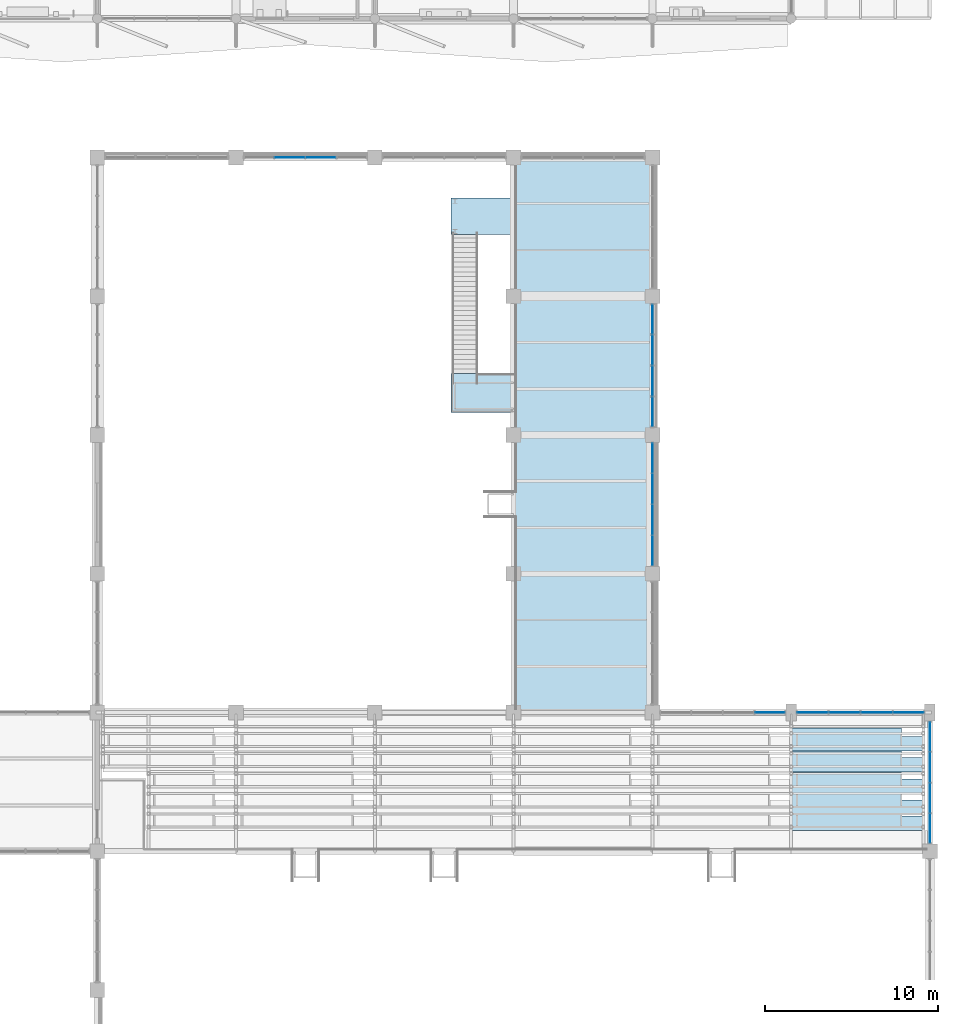
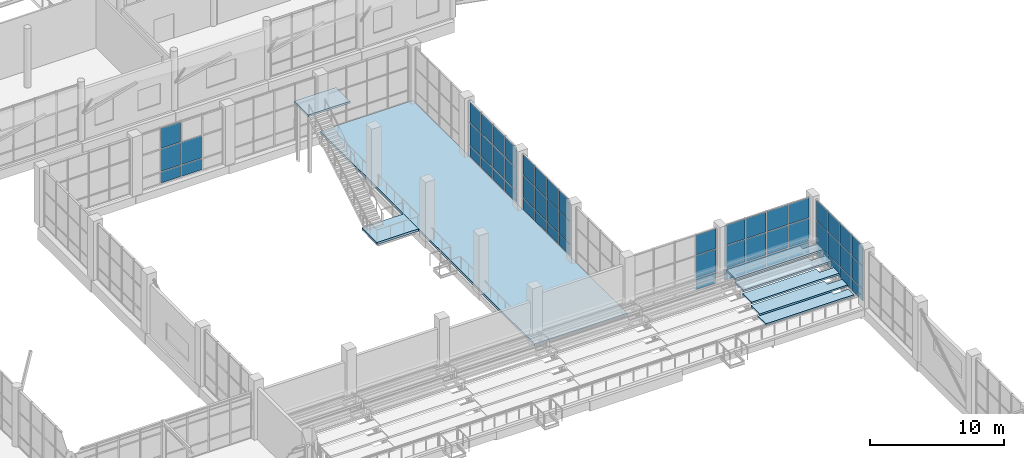
# One storey, part 94 of 122: 56 plates, 8 slabs, 7 elements without a shape of their own.
"""IFC4 building model written with IfcOpenShell, lengths in metres."""

from ifc_helpers import new_model, si_unit, direction, frame, origin, origin_2d, place, context, subcontext, project, spatial, polyline, rectangle, outline, extrude, material, layer, layer_set, type_object, element, aggregate, save


model = new_model("IFC4")

# Units and contexts
model_context = context("Model", 3, precision=1e-05, world=origin(), true_north=direction((0.0, 1.0)))
body_context = subcontext(model_context, "Body", "Model", "MODEL_VIEW")
ifc_project = project(units=[si_unit("LENGTHUNIT", "METRE"), si_unit("AREAUNIT", "SQUARE_METRE"), si_unit("VOLUMEUNIT", "CUBIC_METRE"), si_unit("PLANEANGLEUNIT", "RADIAN"), si_unit("MASSUNIT", "GRAM", prefix="KILO")], contexts=[model_context])

# Site, building, storey
site_placement = place(None, origin())
site = spatial("IfcSite", under=ifc_project, at=site_placement, CompositionType="ELEMENT")
building_placement = place(site_placement, origin())
building = spatial("IfcBuilding", under=site, at=building_placement, Name="Tenunan Teduh Sports Hall", CompositionType="ELEMENT")
storey_placement = place(building_placement, frame((0.0, 0.0, 5.39990234375)))
storey = spatial("IfcBuildingStorey", under=building, at=storey_placement, Name="L01", CompositionType="ELEMENT", Elevation=5.39990234375)

# Curtain wall, plates
ifc_material_1 = material(Name="Anodised aluminium", Category="aluminium")
curtain_wall_type = type_object("IfcCurtainWallType", Name="CW-UNIT-1", PredefinedType="NOTDEFINED", material=ifc_material_1)
curtain_wall_1_placement = place(storey_placement, origin())
curtain_wall_1 = element("IfcCurtainWall", 1, at=curtain_wall_1_placement, inside=storey, type_object=curtain_wall_type, Name="CW-CWM-200-L01-012", PredefinedType="NOTDEFINED")
ifc_material_2 = material(Name="Low-E laminated double glazing", Category="glass")
ifc_layer_1 = layer(ifc_material_2, 0.028076171875)
ifc_layer_set_1 = layer_set([ifc_layer_1], Name="Low-E laminated double glazing")
plate_type_1 = type_object("IfcPlateType", Name="CWP-GLZ-28", PredefinedType="CURTAIN_PANEL", material=ifc_layer_set_1)
plate_1_placement = place(storey_placement, frame((160.773193359375, 46.0, 1.13525390625), z_axis=(0.0, 0.0, 1.0), x_axis=(1.0, 0.0, 0.0)))
plate_1 = element("IfcPlate", 2, at=plate_1_placement, type_object=plate_type_1, Name="CW-01 panel 4.2", PredefinedType="CURTAIN_PANEL", context=body_context, shape_type="SweptSolid", body=[
    extrude(rectangle(XDim=1.7138671875, YDim=0.028076171875, at=origin_2d()), origin(), (0.0, 0.0, 1.0), 2.030029296875),
])
plate_2_placement = place(storey_placement, frame((160.773193359375, 46.0, 3.235107421875), z_axis=(0.0, 0.0, 1.0), x_axis=(1.0, 0.0, 0.0)))
plate_2 = element("IfcPlate", 3, at=plate_2_placement, type_object=plate_type_1, Name="CW-01 panel 4.3", PredefinedType="CURTAIN_PANEL", context=body_context, shape_type="SweptSolid", body=[
    extrude(rectangle(XDim=1.7138671875, YDim=0.028076171875, at=origin_2d()), origin(), (0.0, 0.0, 1.0), 1.81494140625),
])

curtain_wall_2_placement = place(storey_placement, origin())
curtain_wall_2 = element("IfcCurtainWall", 4, at=curtain_wall_2_placement, inside=storey, type_object=curtain_wall_type, Name="CW-CWM-175-L01-014", PredefinedType="NOTDEFINED")
plate_3_placement = place(storey_placement, frame((163.2412109375, 46.0, 1.1328125), z_axis=(0.0, 0.0, 1.0), x_axis=(1.0, 0.0, 0.0)))
plate_3 = element("IfcPlate", 5, at=plate_3_placement, type_object=plate_type_1, Name="CW-01 panel 1.2", PredefinedType="CURTAIN_PANEL", context=body_context, shape_type="SweptSolid", body=[
    extrude(rectangle(XDim=1.75244140625, YDim=0.028076171875, at=origin_2d()), origin(), (0.0, 0.0, 1.0), 2.034912109375),
])
plate_4_placement = place(storey_placement, frame((163.2412109375, 46.0, 3.232421875), z_axis=(0.0, 0.0, 1.0), x_axis=(1.0, 0.0, 0.0)))
plate_4 = element("IfcPlate", 6, at=plate_4_placement, type_object=plate_type_1, Name="CW-01 panel 1.3", PredefinedType="CURTAIN_PANEL", context=body_context, shape_type="SweptSolid", body=[
    extrude(rectangle(XDim=1.75244140625, YDim=0.028076171875, at=origin_2d()), origin(), (0.0, 0.0, 1.0), 1.822509765625),
])
plate_5_placement = place(storey_placement, frame((165.074951171875, 46.0, 1.1328125), z_axis=(0.0, 0.0, 1.0), x_axis=(1.0, 0.0, 0.0)))
plate_5 = element("IfcPlate", 7, at=plate_5_placement, type_object=plate_type_1, Name="CW-01 panel 2.2", PredefinedType="CURTAIN_PANEL", context=body_context, shape_type="SweptSolid", body=[
    extrude(rectangle(XDim=1.784912109375, YDim=0.028076171875, at=origin_2d()), origin(), (0.0, 0.0, 1.0), 2.034912109375),
])
plate_6_placement = place(storey_placement, frame((165.074951171875, 46.0, 3.232421875), z_axis=(0.0, 0.0, 1.0), x_axis=(1.0, 0.0, 0.0)))
plate_6 = element("IfcPlate", 8, at=plate_6_placement, type_object=plate_type_1, Name="CW-01 panel 2.3", PredefinedType="CURTAIN_PANEL", context=body_context, shape_type="SweptSolid", body=[
    extrude(rectangle(XDim=1.784912109375, YDim=0.028076171875, at=origin_2d()), origin(), (0.0, 0.0, 1.0), 1.822509765625),
])
plate_7_placement = place(storey_placement, frame((166.925048828125, 46.0, 1.1328125), z_axis=(0.0, 0.0, 1.0), x_axis=(1.0, 0.0, 0.0)))
plate_7 = element("IfcPlate", 9, at=plate_7_placement, type_object=plate_type_1, Name="CW-01 panel 3.2", PredefinedType="CURTAIN_PANEL", context=body_context, shape_type="SweptSolid", body=[
    extrude(rectangle(XDim=1.784912109375, YDim=0.028076171875, at=origin_2d()), origin(), (0.0, 0.0, 1.0), 2.034912109375),
])
plate_8_placement = place(storey_placement, frame((166.925048828125, 46.0, 3.232421875), z_axis=(0.0, 0.0, 1.0), x_axis=(1.0, 0.0, 0.0)))
plate_8 = element("IfcPlate", 10, at=plate_8_placement, type_object=plate_type_1, Name="CW-01 panel 3.3", PredefinedType="CURTAIN_PANEL", context=body_context, shape_type="SweptSolid", body=[
    extrude(rectangle(XDim=1.784912109375, YDim=0.028076171875, at=origin_2d()), origin(), (0.0, 0.0, 1.0), 1.822509765625),
])
plate_9_placement = place(storey_placement, frame((168.7587890625, 46.0, 1.1328125), z_axis=(0.0, 0.0, 1.0), x_axis=(1.0, 0.0, 0.0)))
plate_9 = element("IfcPlate", 11, at=plate_9_placement, type_object=plate_type_1, Name="CW-01 panel 4.2", PredefinedType="CURTAIN_PANEL", context=body_context, shape_type="SweptSolid", body=[
    extrude(rectangle(XDim=1.75244140625, YDim=0.028076171875, at=origin_2d()), origin(), (0.0, 0.0, 1.0), 2.034912109375),
])
plate_10_placement = place(storey_placement, frame((168.7587890625, 46.0, 3.232421875), z_axis=(0.0, 0.0, 1.0), x_axis=(1.0, 0.0, 0.0)))
plate_10 = element("IfcPlate", 12, at=plate_10_placement, type_object=plate_type_1, Name="CW-01 panel 4.3", PredefinedType="CURTAIN_PANEL", context=body_context, shape_type="SweptSolid", body=[
    extrude(rectangle(XDim=1.75244140625, YDim=0.028076171875, at=origin_2d()), origin(), (0.0, 0.0, 1.0), 1.822509765625),
])

curtain_wall_3_placement = place(storey_placement, origin())
curtain_wall_3 = element("IfcCurtainWall", 13, at=curtain_wall_3_placement, inside=storey, type_object=curtain_wall_type, Name="CW-CWM-175-L01-118", PredefinedType="NOTDEFINED")
plate_11_placement = place(storey_placement, frame((133.106201171875, 78.0, 1.1328125), z_axis=(0.0, 0.0, 1.0), x_axis=(1.0, 0.0, 0.0)))
plate_11 = element("IfcPlate", 14, at=plate_11_placement, type_object=plate_type_1, Name="CW-01 panel 2.2", PredefinedType="CURTAIN_PANEL", context=body_context, shape_type="SweptSolid", body=[
    extrude(rectangle(XDim=1.722412109375, YDim=0.028076171875, at=origin_2d()), origin(), (0.0, 0.0, 1.0), 2.034912109375),
])
plate_12_placement = place(storey_placement, frame((133.106201171875, 78.0, 3.232421875), z_axis=(0.0, 0.0, 1.0), x_axis=(1.0, 0.0, 0.0)))
plate_12 = element("IfcPlate", 15, at=plate_12_placement, type_object=plate_type_1, Name="CW-01 panel 2.3", PredefinedType="CURTAIN_PANEL", context=body_context, shape_type="SweptSolid", body=[
    extrude(rectangle(XDim=1.722412109375, YDim=0.028076171875, at=origin_2d()), origin(), (0.0, 0.0, 1.0), 1.822509765625),
])
plate_13_placement = place(storey_placement, frame((134.893798828125, 78.0, 1.1328125), z_axis=(0.0, 0.0, 1.0), x_axis=(1.0, 0.0, 0.0)))
plate_13 = element("IfcPlate", 16, at=plate_13_placement, type_object=plate_type_1, Name="CW-01 panel 3.2", PredefinedType="CURTAIN_PANEL", context=body_context, shape_type="SweptSolid", body=[
    extrude(rectangle(XDim=1.722412109375, YDim=0.028076171875, at=origin_2d()), origin(), (0.0, 0.0, 1.0), 2.034912109375),
])

curtain_wall_4_placement = place(storey_placement, origin())
curtain_wall_4 = element("IfcCurtainWall", 17, at=curtain_wall_4_placement, inside=storey, type_object=curtain_wall_type, Name="CW-CWM-150-L01-019", PredefinedType="NOTDEFINED")
ifc_material_3 = material(Name="Solar-control laminated glazing", Category="glass")
ifc_layer_2 = layer(ifc_material_3, 0.031982421875)
ifc_layer_set_2 = layer_set([ifc_layer_2], Name="Solar-control laminated glazing")
plate_type_2 = type_object("IfcPlateType", Name="CWP-GLZ-32", PredefinedType="CURTAIN_PANEL", material=ifc_layer_set_2)
plate_14_placement = place(storey_placement, frame((170.0, 39.324462890625, 1.130126953125), z_axis=(0.0, 0.0, 1.0), x_axis=(0.0, 1.0, 0.0)))
plate_14 = element("IfcPlate", 18, at=plate_14_placement, type_object=plate_type_2, Name="CW-01 panel 1.2", PredefinedType="CURTAIN_PANEL", context=body_context, shape_type="SweptSolid", body=[
    extrude(rectangle(XDim=1.6787109375, YDim=0.031982421875, at=origin_2d()), origin(), (0.0, 0.0, 1.0), 2.0400390625),
])
plate_15_placement = place(storey_placement, frame((170.0, 39.324462890625, 3.22998046875), z_axis=(0.0, 0.0, 1.0), x_axis=(0.0, 1.0, 0.0)))
plate_15 = element("IfcPlate", 19, at=plate_15_placement, type_object=plate_type_2, Name="CW-01 panel 1.3", PredefinedType="CURTAIN_PANEL", context=body_context, shape_type="SweptSolid", body=[
    extrude(rectangle(XDim=1.6787109375, YDim=0.031982421875, at=origin_2d()), origin(), (0.0, 0.0, 1.0), 1.830078125),
])
plate_16_placement = place(storey_placement, frame((170.0, 41.078125, 1.130126953125), z_axis=(0.0, 0.0, 1.0), x_axis=(0.0, 1.0, 0.0)))
plate_16 = element("IfcPlate", 20, at=plate_16_placement, type_object=plate_type_2, Name="CW-01 panel 2.2", PredefinedType="CURTAIN_PANEL", context=body_context, shape_type="SweptSolid", body=[
    extrude(rectangle(XDim=1.708740234375, YDim=0.031982421875, at=origin_2d()), origin(), (0.0, 0.0, 1.0), 2.0400390625),
])
plate_17_placement = place(storey_placement, frame((170.0, 41.078125, 3.22998046875), z_axis=(0.0, 0.0, 1.0), x_axis=(0.0, 1.0, 0.0)))
plate_17 = element("IfcPlate", 21, at=plate_17_placement, type_object=plate_type_2, Name="CW-01 panel 2.3", PredefinedType="CURTAIN_PANEL", context=body_context, shape_type="SweptSolid", body=[
    extrude(rectangle(XDim=1.708740234375, YDim=0.031982421875, at=origin_2d()), origin(), (0.0, 0.0, 1.0), 1.830078125),
])
plate_18_placement = place(storey_placement, frame((170.0, 42.846923828125, 1.130126953125), z_axis=(0.0, 0.0, 1.0), x_axis=(0.0, 1.0, 0.0)))
plate_18 = element("IfcPlate", 22, at=plate_18_placement, type_object=plate_type_2, Name="CW-01 panel 3.2", PredefinedType="CURTAIN_PANEL", context=body_context, shape_type="SweptSolid", body=[
    extrude(rectangle(XDim=1.708740234375, YDim=0.031982421875, at=origin_2d()), origin(), (0.0, 0.0, 1.0), 2.0400390625),
])
plate_19_placement = place(storey_placement, frame((170.0, 42.846923828125, 3.22998046875), z_axis=(0.0, 0.0, 1.0), x_axis=(0.0, 1.0, 0.0)))
plate_19 = element("IfcPlate", 23, at=plate_19_placement, type_object=plate_type_2, Name="CW-01 panel 3.3", PredefinedType="CURTAIN_PANEL", context=body_context, shape_type="SweptSolid", body=[
    extrude(rectangle(XDim=1.708740234375, YDim=0.031982421875, at=origin_2d()), origin(), (0.0, 0.0, 1.0), 1.830078125),
])
plate_20_placement = place(storey_placement, frame((170.0, 44.6005859375, 1.130126953125), z_axis=(0.0, 0.0, 1.0), x_axis=(0.0, 1.0, 0.0)))
plate_20 = element("IfcPlate", 24, at=plate_20_placement, type_object=plate_type_2, Name="CW-01 panel 4.2", PredefinedType="CURTAIN_PANEL", context=body_context, shape_type="SweptSolid", body=[
    extrude(rectangle(XDim=1.6787109375, YDim=0.031982421875, at=origin_2d()), origin(), (0.0, 0.0, 1.0), 2.0400390625),
])
plate_21_placement = place(storey_placement, frame((170.0, 44.6005859375, 3.22998046875), z_axis=(0.0, 0.0, 1.0), x_axis=(0.0, 1.0, 0.0)))
plate_21 = element("IfcPlate", 25, at=plate_21_placement, type_object=plate_type_2, Name="CW-01 panel 4.3", PredefinedType="CURTAIN_PANEL", context=body_context, shape_type="SweptSolid", body=[
    extrude(rectangle(XDim=1.6787109375, YDim=0.031982421875, at=origin_2d()), origin(), (0.0, 0.0, 1.0), 1.830078125),
])

curtain_wall_5_placement = place(storey_placement, origin())
curtain_wall_5 = element("IfcCurtainWall", 26, at=curtain_wall_5_placement, inside=storey, type_object=curtain_wall_type, Name="CW-CWM-150-L01-123", PredefinedType="NOTDEFINED")
plate_22_placement = place(storey_placement, frame((154.0, 55.333740234375, 1.130126953125), z_axis=(0.0, 0.0, 1.0), x_axis=(0.0, 1.0, 0.0)))
plate_22 = element("IfcPlate", 27, at=plate_22_placement, type_object=plate_type_2, Name="CW-01 panel 1.2", PredefinedType="CURTAIN_PANEL", context=body_context, shape_type="SweptSolid", body=[
    extrude(rectangle(XDim=1.697509765625, YDim=0.031982421875, at=origin_2d()), origin(), (0.0, 0.0, 1.0), 2.0400390625),
])
plate_23_placement = place(storey_placement, frame((154.0, 55.333740234375, 3.22998046875), z_axis=(0.0, 0.0, 1.0), x_axis=(0.0, 1.0, 0.0)))
plate_23 = element("IfcPlate", 28, at=plate_23_placement, type_object=plate_type_2, Name="CW-01 panel 1.3", PredefinedType="CURTAIN_PANEL", context=body_context, shape_type="SweptSolid", body=[
    extrude(rectangle(XDim=1.697509765625, YDim=0.031982421875, at=origin_2d()), origin(), (0.0, 0.0, 1.0), 1.830078125),
])
plate_24_placement = place(storey_placement, frame((154.0, 57.106201171875, 1.130126953125), z_axis=(0.0, 0.0, 1.0), x_axis=(0.0, 1.0, 0.0)))
plate_24 = element("IfcPlate", 29, at=plate_24_placement, type_object=plate_type_2, Name="CW-01 panel 2.2", PredefinedType="CURTAIN_PANEL", context=body_context, shape_type="SweptSolid", body=[
    extrude(rectangle(XDim=1.7275390625, YDim=0.031982421875, at=origin_2d()), origin(), (0.0, 0.0, 1.0), 2.0400390625),
])
plate_25_placement = place(storey_placement, frame((154.0, 57.106201171875, 3.22998046875), z_axis=(0.0, 0.0, 1.0), x_axis=(0.0, 1.0, 0.0)))
plate_25 = element("IfcPlate", 30, at=plate_25_placement, type_object=plate_type_2, Name="CW-01 panel 2.3", PredefinedType="CURTAIN_PANEL", context=body_context, shape_type="SweptSolid", body=[
    extrude(rectangle(XDim=1.7275390625, YDim=0.031982421875, at=origin_2d()), origin(), (0.0, 0.0, 1.0), 1.830078125),
])
plate_26_placement = place(storey_placement, frame((154.0, 58.893798828125, 1.130126953125), z_axis=(0.0, 0.0, 1.0), x_axis=(0.0, 1.0, 0.0)))
plate_26 = element("IfcPlate", 31, at=plate_26_placement, type_object=plate_type_2, Name="CW-01 panel 3.2", PredefinedType="CURTAIN_PANEL", context=body_context, shape_type="SweptSolid", body=[
    extrude(rectangle(XDim=1.7275390625, YDim=0.031982421875, at=origin_2d()), origin(), (0.0, 0.0, 1.0), 2.0400390625),
])
plate_27_placement = place(storey_placement, frame((154.0, 58.893798828125, 3.22998046875), z_axis=(0.0, 0.0, 1.0), x_axis=(0.0, 1.0, 0.0)))
plate_27 = element("IfcPlate", 32, at=plate_27_placement, type_object=plate_type_2, Name="CW-01 panel 3.3", PredefinedType="CURTAIN_PANEL", context=body_context, shape_type="SweptSolid", body=[
    extrude(rectangle(XDim=1.7275390625, YDim=0.031982421875, at=origin_2d()), origin(), (0.0, 0.0, 1.0), 1.830078125),
])
plate_28_placement = place(storey_placement, frame((154.0, 60.666259765625, 1.130126953125), z_axis=(0.0, 0.0, 1.0), x_axis=(0.0, 1.0, 0.0)))
plate_28 = element("IfcPlate", 33, at=plate_28_placement, type_object=plate_type_2, Name="CW-01 panel 4.2", PredefinedType="CURTAIN_PANEL", context=body_context, shape_type="SweptSolid", body=[
    extrude(rectangle(XDim=1.697509765625, YDim=0.031982421875, at=origin_2d()), origin(), (0.0, 0.0, 1.0), 2.0400390625),
])
plate_29_placement = place(storey_placement, frame((154.0, 60.666259765625, 3.22998046875), z_axis=(0.0, 0.0, 1.0), x_axis=(0.0, 1.0, 0.0)))
plate_29 = element("IfcPlate", 34, at=plate_29_placement, type_object=plate_type_2, Name="CW-01 panel 4.3", PredefinedType="CURTAIN_PANEL", context=body_context, shape_type="SweptSolid", body=[
    extrude(rectangle(XDim=1.697509765625, YDim=0.031982421875, at=origin_2d()), origin(), (0.0, 0.0, 1.0), 1.830078125),
])

curtain_wall_6_placement = place(storey_placement, origin())
curtain_wall_6 = element("IfcCurtainWall", 35, at=curtain_wall_6_placement, inside=storey, type_object=curtain_wall_type, Name="CW-CWM-220-L01-125", PredefinedType="NOTDEFINED")
plate_30_placement = place(storey_placement, frame((154.0, 63.33740234375, 1.1376953125), z_axis=(0.0, 0.0, 1.0), x_axis=(0.0, 1.0, 0.0)))
plate_30 = element("IfcPlate", 36, at=plate_30_placement, type_object=plate_type_2, Name="CW-01 panel 1.2", PredefinedType="CURTAIN_PANEL", context=body_context, shape_type="SweptSolid", body=[
    extrude(rectangle(XDim=1.675048828125, YDim=0.031982421875, at=origin_2d()), origin(), (0.0, 0.0, 1.0), 2.02490234375),
])
plate_31_placement = place(storey_placement, frame((154.0, 63.33740234375, 3.237548828125), z_axis=(0.0, 0.0, 1.0), x_axis=(0.0, 1.0, 0.0)))
plate_31 = element("IfcPlate", 37, at=plate_31_placement, type_object=plate_type_2, Name="CW-01 panel 1.3", PredefinedType="CURTAIN_PANEL", context=body_context, shape_type="SweptSolid", body=[
    extrude(rectangle(XDim=1.675048828125, YDim=0.031982421875, at=origin_2d()), origin(), (0.0, 0.0, 1.0), 1.8076171875),
])
plate_32_placement = place(storey_placement, frame((154.0, 65.106201171875, 1.1376953125), z_axis=(0.0, 0.0, 1.0), x_axis=(0.0, 1.0, 0.0)))
plate_32 = element("IfcPlate", 38, at=plate_32_placement, type_object=plate_type_2, Name="CW-01 panel 2.2", PredefinedType="CURTAIN_PANEL", context=body_context, shape_type="SweptSolid", body=[
    extrude(rectangle(XDim=1.71240234375, YDim=0.031982421875, at=origin_2d()), origin(), (0.0, 0.0, 1.0), 2.02490234375),
])
plate_33_placement = place(storey_placement, frame((154.0, 65.106201171875, 3.237548828125), z_axis=(0.0, 0.0, 1.0), x_axis=(0.0, 1.0, 0.0)))
plate_33 = element("IfcPlate", 39, at=plate_33_placement, type_object=plate_type_2, Name="CW-01 panel 2.3", PredefinedType="CURTAIN_PANEL", context=body_context, shape_type="SweptSolid", body=[
    extrude(rectangle(XDim=1.71240234375, YDim=0.031982421875, at=origin_2d()), origin(), (0.0, 0.0, 1.0), 1.8076171875),
])
plate_34_placement = place(storey_placement, frame((154.0, 66.893798828125, 1.1376953125), z_axis=(0.0, 0.0, 1.0), x_axis=(0.0, 1.0, 0.0)))
plate_34 = element("IfcPlate", 40, at=plate_34_placement, type_object=plate_type_2, Name="CW-01 panel 3.2", PredefinedType="CURTAIN_PANEL", context=body_context, shape_type="SweptSolid", body=[
    extrude(rectangle(XDim=1.71240234375, YDim=0.031982421875, at=origin_2d()), origin(), (0.0, 0.0, 1.0), 2.02490234375),
])
plate_35_placement = place(storey_placement, frame((154.0, 66.893798828125, 3.237548828125), z_axis=(0.0, 0.0, 1.0), x_axis=(0.0, 1.0, 0.0)))
plate_35 = element("IfcPlate", 41, at=plate_35_placement, type_object=plate_type_2, Name="CW-01 panel 3.3", PredefinedType="CURTAIN_PANEL", context=body_context, shape_type="SweptSolid", body=[
    extrude(rectangle(XDim=1.71240234375, YDim=0.031982421875, at=origin_2d()), origin(), (0.0, 0.0, 1.0), 1.8076171875),
])
plate_36_placement = place(storey_placement, frame((154.0, 68.66259765625, 1.1376953125), z_axis=(0.0, 0.0, 1.0), x_axis=(0.0, 1.0, 0.0)))
plate_36 = element("IfcPlate", 42, at=plate_36_placement, type_object=plate_type_2, Name="CW-01 panel 4.2", PredefinedType="CURTAIN_PANEL", context=body_context, shape_type="SweptSolid", body=[
    extrude(rectangle(XDim=1.675048828125, YDim=0.031982421875, at=origin_2d()), origin(), (0.0, 0.0, 1.0), 2.02490234375),
])
plate_37_placement = place(storey_placement, frame((154.0, 68.66259765625, 3.237548828125), z_axis=(0.0, 0.0, 1.0), x_axis=(0.0, 1.0, 0.0)))
plate_37 = element("IfcPlate", 43, at=plate_37_placement, type_object=plate_type_2, Name="CW-01 panel 4.3", PredefinedType="CURTAIN_PANEL", context=body_context, shape_type="SweptSolid", body=[
    extrude(rectangle(XDim=1.675048828125, YDim=0.031982421875, at=origin_2d()), origin(), (0.0, 0.0, 1.0), 1.8076171875),
])

# Plate
ifc_material_4 = material(Name="Insulated aluminium spandrel panel", Category="aluminium")
ifc_layer_3 = layer(ifc_material_4, 0.044921875)
ifc_layer_set_3 = layer_set([ifc_layer_3], Name="Insulated aluminium spandrel panel")
plate_type_3 = type_object("IfcPlateType", Name="CWP-SPN-45", PredefinedType="CURTAIN_PANEL", material=ifc_layer_set_3)
plate_38_placement = place(storey_placement, frame((160.773193359375, 46.0, 0.070068359375), z_axis=(0.0, 0.0, 1.0), x_axis=(1.0, 0.0, 0.0)))
plate_38 = element("IfcPlate", 44, at=plate_38_placement, type_object=plate_type_3, Name="CW-01 panel 4.1", PredefinedType="CURTAIN_PANEL", context=body_context, shape_type="SweptSolid", body=[
    extrude(rectangle(XDim=1.7138671875, YDim=0.028076171875, at=origin_2d()), origin(), (0.0, 0.0, 1.0), 0.9951171875),
])

aggregate(curtain_wall_1, [plate_38, plate_1, plate_2])

plate_39_placement = place(storey_placement, frame((163.2412109375, 46.0, 0.065185546875), z_axis=(0.0, 0.0, 1.0), x_axis=(1.0, 0.0, 0.0)))
plate_39 = element("IfcPlate", 45, at=plate_39_placement, type_object=plate_type_3, Name="CW-01 panel 1.1", PredefinedType="CURTAIN_PANEL", context=body_context, shape_type="SweptSolid", body=[
    extrude(rectangle(XDim=1.75244140625, YDim=0.028076171875, at=origin_2d()), origin(), (0.0, 0.0, 1.0), 1.00244140625),
])

plate_40_placement = place(storey_placement, frame((165.074951171875, 46.0, 0.065185546875), z_axis=(0.0, 0.0, 1.0), x_axis=(1.0, 0.0, 0.0)))
plate_40 = element("IfcPlate", 46, at=plate_40_placement, type_object=plate_type_3, Name="CW-01 panel 2.1", PredefinedType="CURTAIN_PANEL", context=body_context, shape_type="SweptSolid", body=[
    extrude(rectangle(XDim=1.784912109375, YDim=0.028076171875, at=origin_2d()), origin(), (0.0, 0.0, 1.0), 1.00244140625),
])

plate_41_placement = place(storey_placement, frame((166.925048828125, 46.0, 0.065185546875), z_axis=(0.0, 0.0, 1.0), x_axis=(1.0, 0.0, 0.0)))
plate_41 = element("IfcPlate", 47, at=plate_41_placement, type_object=plate_type_3, Name="CW-01 panel 3.1", PredefinedType="CURTAIN_PANEL", context=body_context, shape_type="SweptSolid", body=[
    extrude(rectangle(XDim=1.784912109375, YDim=0.028076171875, at=origin_2d()), origin(), (0.0, 0.0, 1.0), 1.00244140625),
])

plate_42_placement = place(storey_placement, frame((168.7587890625, 46.0, 0.065185546875), z_axis=(0.0, 0.0, 1.0), x_axis=(1.0, 0.0, 0.0)))
plate_42 = element("IfcPlate", 48, at=plate_42_placement, type_object=plate_type_3, Name="CW-01 panel 4.1", PredefinedType="CURTAIN_PANEL", context=body_context, shape_type="SweptSolid", body=[
    extrude(rectangle(XDim=1.75244140625, YDim=0.028076171875, at=origin_2d()), origin(), (0.0, 0.0, 1.0), 1.00244140625),
])

aggregate(curtain_wall_2, [plate_39, plate_3, plate_4, plate_40, plate_5, plate_6, plate_41, plate_7, plate_8, plate_42, plate_9, plate_10])

plate_43_placement = place(storey_placement, frame((170.0, 39.324462890625, 0.06005859375), z_axis=(0.0, 0.0, 1.0), x_axis=(0.0, 1.0, 0.0)))
plate_43 = element("IfcPlate", 49, at=plate_43_placement, type_object=plate_type_3, Name="CW-01 panel 1.1", PredefinedType="CURTAIN_PANEL", context=body_context, shape_type="SweptSolid", body=[
    extrude(rectangle(XDim=1.6787109375, YDim=0.031982421875, at=origin_2d()), origin(), (0.0, 0.0, 1.0), 1.010009765625),
])

plate_44_placement = place(storey_placement, frame((170.0, 41.078125, 0.06005859375), z_axis=(0.0, 0.0, 1.0), x_axis=(0.0, 1.0, 0.0)))
plate_44 = element("IfcPlate", 50, at=plate_44_placement, type_object=plate_type_3, Name="CW-01 panel 2.1", PredefinedType="CURTAIN_PANEL", context=body_context, shape_type="SweptSolid", body=[
    extrude(rectangle(XDim=1.708740234375, YDim=0.031982421875, at=origin_2d()), origin(), (0.0, 0.0, 1.0), 1.010009765625),
])

plate_45_placement = place(storey_placement, frame((170.0, 42.846923828125, 0.06005859375), z_axis=(0.0, 0.0, 1.0), x_axis=(0.0, 1.0, 0.0)))
plate_45 = element("IfcPlate", 51, at=plate_45_placement, type_object=plate_type_3, Name="CW-01 panel 3.1", PredefinedType="CURTAIN_PANEL", context=body_context, shape_type="SweptSolid", body=[
    extrude(rectangle(XDim=1.708740234375, YDim=0.031982421875, at=origin_2d()), origin(), (0.0, 0.0, 1.0), 1.010009765625),
])

plate_46_placement = place(storey_placement, frame((170.0, 44.6005859375, 0.06005859375), z_axis=(0.0, 0.0, 1.0), x_axis=(0.0, 1.0, 0.0)))
plate_46 = element("IfcPlate", 52, at=plate_46_placement, type_object=plate_type_3, Name="CW-01 panel 4.1", PredefinedType="CURTAIN_PANEL", context=body_context, shape_type="SweptSolid", body=[
    extrude(rectangle(XDim=1.6787109375, YDim=0.031982421875, at=origin_2d()), origin(), (0.0, 0.0, 1.0), 1.010009765625),
])

aggregate(curtain_wall_4, [plate_43, plate_14, plate_15, plate_44, plate_16, plate_17, plate_45, plate_18, plate_19, plate_46, plate_20, plate_21])

plate_47_placement = place(storey_placement, frame((133.106201171875, 78.0, 0.065185546875), z_axis=(0.0, 0.0, 1.0), x_axis=(1.0, 0.0, 0.0)))
plate_47 = element("IfcPlate", 53, at=plate_47_placement, type_object=plate_type_3, Name="CW-01 panel 2.1", PredefinedType="CURTAIN_PANEL", context=body_context, shape_type="SweptSolid", body=[
    extrude(rectangle(XDim=1.722412109375, YDim=0.028076171875, at=origin_2d()), origin(), (0.0, 0.0, 1.0), 1.00244140625),
])

plate_48_placement = place(storey_placement, frame((134.893798828125, 78.0, 0.065185546875), z_axis=(0.0, 0.0, 1.0), x_axis=(1.0, 0.0, 0.0)))
plate_48 = element("IfcPlate", 54, at=plate_48_placement, type_object=plate_type_3, Name="CW-01 panel 3.1", PredefinedType="CURTAIN_PANEL", context=body_context, shape_type="SweptSolid", body=[
    extrude(rectangle(XDim=1.722412109375, YDim=0.028076171875, at=origin_2d()), origin(), (0.0, 0.0, 1.0), 1.00244140625),
])

aggregate(curtain_wall_3, [plate_47, plate_11, plate_12, plate_48, plate_13])

plate_49_placement = place(storey_placement, frame((154.0, 55.333740234375, 0.06005859375), z_axis=(0.0, 0.0, 1.0), x_axis=(0.0, 1.0, 0.0)))
plate_49 = element("IfcPlate", 55, at=plate_49_placement, type_object=plate_type_3, Name="CW-01 panel 1.1", PredefinedType="CURTAIN_PANEL", context=body_context, shape_type="SweptSolid", body=[
    extrude(rectangle(XDim=1.697509765625, YDim=0.031982421875, at=origin_2d()), origin(), (0.0, 0.0, 1.0), 1.010009765625),
])

plate_50_placement = place(storey_placement, frame((154.0, 57.106201171875, 0.06005859375), z_axis=(0.0, 0.0, 1.0), x_axis=(0.0, 1.0, 0.0)))
plate_50 = element("IfcPlate", 56, at=plate_50_placement, type_object=plate_type_3, Name="CW-01 panel 2.1", PredefinedType="CURTAIN_PANEL", context=body_context, shape_type="SweptSolid", body=[
    extrude(rectangle(XDim=1.7275390625, YDim=0.031982421875, at=origin_2d()), origin(), (0.0, 0.0, 1.0), 1.010009765625),
])

plate_51_placement = place(storey_placement, frame((154.0, 58.893798828125, 0.06005859375), z_axis=(0.0, 0.0, 1.0), x_axis=(0.0, 1.0, 0.0)))
plate_51 = element("IfcPlate", 57, at=plate_51_placement, type_object=plate_type_3, Name="CW-01 panel 3.1", PredefinedType="CURTAIN_PANEL", context=body_context, shape_type="SweptSolid", body=[
    extrude(rectangle(XDim=1.7275390625, YDim=0.031982421875, at=origin_2d()), origin(), (0.0, 0.0, 1.0), 1.010009765625),
])

plate_52_placement = place(storey_placement, frame((154.0, 60.666259765625, 0.06005859375), z_axis=(0.0, 0.0, 1.0), x_axis=(0.0, 1.0, 0.0)))
plate_52 = element("IfcPlate", 58, at=plate_52_placement, type_object=plate_type_3, Name="CW-01 panel 4.1", PredefinedType="CURTAIN_PANEL", context=body_context, shape_type="SweptSolid", body=[
    extrude(rectangle(XDim=1.697509765625, YDim=0.031982421875, at=origin_2d()), origin(), (0.0, 0.0, 1.0), 1.010009765625),
])

aggregate(curtain_wall_5, [plate_49, plate_22, plate_23, plate_50, plate_24, plate_25, plate_51, plate_26, plate_27, plate_52, plate_28, plate_29])

plate_53_placement = place(storey_placement, frame((154.0, 63.33740234375, 0.0751953125), z_axis=(0.0, 0.0, 1.0), x_axis=(0.0, 1.0, 0.0)))
plate_53 = element("IfcPlate", 59, at=plate_53_placement, type_object=plate_type_3, Name="CW-01 panel 1.1", PredefinedType="CURTAIN_PANEL", context=body_context, shape_type="SweptSolid", body=[
    extrude(rectangle(XDim=1.675048828125, YDim=0.031982421875, at=origin_2d()), origin(), (0.0, 0.0, 1.0), 0.987548828125),
])

plate_54_placement = place(storey_placement, frame((154.0, 65.106201171875, 0.0751953125), z_axis=(0.0, 0.0, 1.0), x_axis=(0.0, 1.0, 0.0)))
plate_54 = element("IfcPlate", 60, at=plate_54_placement, type_object=plate_type_3, Name="CW-01 panel 2.1", PredefinedType="CURTAIN_PANEL", context=body_context, shape_type="SweptSolid", body=[
    extrude(rectangle(XDim=1.71240234375, YDim=0.031982421875, at=origin_2d()), origin(), (0.0, 0.0, 1.0), 0.987548828125),
])

plate_55_placement = place(storey_placement, frame((154.0, 66.893798828125, 0.0751953125), z_axis=(0.0, 0.0, 1.0), x_axis=(0.0, 1.0, 0.0)))
plate_55 = element("IfcPlate", 61, at=plate_55_placement, type_object=plate_type_3, Name="CW-01 panel 3.1", PredefinedType="CURTAIN_PANEL", context=body_context, shape_type="SweptSolid", body=[
    extrude(rectangle(XDim=1.71240234375, YDim=0.031982421875, at=origin_2d()), origin(), (0.0, 0.0, 1.0), 0.987548828125),
])

plate_56_placement = place(storey_placement, frame((154.0, 68.66259765625, 0.0751953125), z_axis=(0.0, 0.0, 1.0), x_axis=(0.0, 1.0, 0.0)))
plate_56 = element("IfcPlate", 62, at=plate_56_placement, type_object=plate_type_3, Name="CW-01 panel 4.1", PredefinedType="CURTAIN_PANEL", context=body_context, shape_type="SweptSolid", body=[
    extrude(rectangle(XDim=1.675048828125, YDim=0.031982421875, at=origin_2d()), origin(), (0.0, 0.0, 1.0), 0.987548828125),
])

aggregate(curtain_wall_6, [plate_53, plate_30, plate_31, plate_54, plate_32, plate_33, plate_55, plate_34, plate_35, plate_56, plate_36, plate_37])

# Slab
ifc_material_5 = material(Name="Concrete C40/50", Category="concrete")
ifc_layer_4 = layer(ifc_material_5, 0.219970703125)
ifc_layer_set_4 = layer_set([ifc_layer_4], Name="Concrete C40/50")
slab_type_1 = type_object("IfcSlabType", Name="SLB-FLR-220", PredefinedType="FLOOR", material=ifc_layer_set_4)
slab_1_placement = place(storey_placement, frame((0.0, 0.0, -0.219970703125)))
element("IfcSlab", 63, at=slab_1_placement, inside=storey, type_object=slab_type_1, Name="SL-L01-V3-MEZ", PredefinedType="FLOOR", context=body_context, shape_type="SweptSolid", body=[
    extrude(outline(polyline([(146.0, 46.0), (154.0, 46.0), (154.0, 78.0), (146.0, 78.0), (146.0, 46.0)])), origin(), (0.0, 0.0, 1.0), 0.219970703125),
])

# Stair, slab
ifc_material_6 = material(Name="Precast concrete C40/50", Category="concrete")
stair_type = type_object("IfcStairType", Name="STR-CLM-GAL", PredefinedType="STRAIGHT_RUN_STAIR", material=ifc_material_6)
stair_placement = place(storey_placement, origin())
stair = element("IfcStair", 64, at=stair_placement, inside=storey, type_object=stair_type, Name="STR-VOM-CL2", PredefinedType="STRAIGHT_RUN_STAIR")
ifc_material_7 = material(Name="Precast concrete C40/50", Category="concrete")
ifc_layer_5 = layer(ifc_material_7, 0.179931640625)
ifc_layer_set_5 = layer_set([ifc_layer_5], Name="Precast concrete C40/50")
slab_type_2 = type_object("IfcSlabType", Name="SLB-LND-180", PredefinedType="LANDING", material=ifc_layer_set_5)
slab_2_placement = place(storey_placement, frame((0.0, 0.0, 5.22021484375)))
slab_2 = element("IfcSlab", 65, at=slab_2_placement, type_object=slab_type_2, Name="ST-30 landing 1", PredefinedType="LANDING", context=body_context, shape_type="SweptSolid", body=[
    extrude(outline(polyline([(142.39990234375, 73.550048828125), (146.02001953125, 73.550048828125), (146.02001953125, 75.64990234375), (142.39990234375, 75.64990234375), (142.39990234375, 73.550048828125)])), origin(), (0.0, 0.0, 1.0), 0.179931640625),
])
aggregate(stair, [slab_2])

# Slabs
ifc_material_8 = material(Name="Precast concrete C40/50", Category="concrete")
ifc_layer_6 = layer(ifc_material_8, 0.199951171875)
ifc_layer_set_6 = layer_set([ifc_layer_6], Name="Precast concrete C40/50")
slab_type_3 = type_object("IfcSlabType", Name="SLB-LND-200", PredefinedType="LANDING", material=ifc_layer_set_6)
slab_3_placement = place(storey_placement, frame((0.0, 0.0, -0.199951171875)))
element("IfcSlab", 66, at=slab_3_placement, inside=storey, type_object=slab_type_3, Name="SL-L01-CL2-START", PredefinedType="LANDING", context=body_context, shape_type="SweptSolid", body=[
    extrude(outline(polyline([(142.39990234375, 63.300048828125), (146.0, 63.300048828125), (146.0, 65.550048828125), (142.39990234375, 65.550048828125), (142.39990234375, 63.300048828125)])), origin(), (0.0, 0.0, 1.0), 0.199951171875),
])
ifc_material_9 = material(Name="Precast concrete C40/50", Category="concrete")
ifc_layer_7 = layer(ifc_material_9, 0.155029296875)
ifc_layer_set_7 = layer_set([ifc_layer_7], Name="Precast concrete C40/50")
slab_type_4 = type_object("IfcSlabType", Name="SLB-TIER-155", PredefinedType="USERDEFINED", material=ifc_layer_set_7)
slab_4_placement = place(storey_placement, frame((0.0, 0.0, 0.525146484375)))
element("IfcSlab", 67, at=slab_4_placement, inside=storey, type_object=slab_type_4, Name="SL-TIER-V1-L01-6-2", ObjectType="SEATING TIER", PredefinedType="USERDEFINED", context=body_context, shape_type="SweptSolid", body=[
    extrude(outline(polyline([(162.02001953125, 40.1201171875), (169.60009765625, 40.1201171875), (169.60009765625, 40.9599609375), (168.35009765625, 40.9599609375), (168.35009765625, 41.43994140625), (162.02001953125, 41.43994140625), (162.02001953125, 40.1201171875)])), origin(), (0.0, 0.0, 1.0), 0.155029296875),
])
slab_5_placement = place(storey_placement, frame((0.0, 0.0, 1.205078125)))
element("IfcSlab", 68, at=slab_5_placement, inside=storey, type_object=slab_type_4, Name="SL-TIER-V1-L01-6-4", ObjectType="SEATING TIER", PredefinedType="USERDEFINED", context=body_context, shape_type="SweptSolid", body=[
    extrude(outline(polyline([(162.02001953125, 42.56005859375), (169.60009765625, 42.56005859375), (169.60009765625, 43.39990234375), (168.35009765625, 43.39990234375), (168.35009765625, 43.8798828125), (162.02001953125, 43.8798828125), (162.02001953125, 42.56005859375)])), origin(), (0.0, 0.0, 1.0), 0.155029296875),
])
ifc_material_10 = material(Name="Precast concrete C40/50", Category="concrete")
ifc_layer_8 = layer(ifc_material_10, 0.169921875)
ifc_layer_set_8 = layer_set([ifc_layer_8], Name="Precast concrete C40/50")
slab_type_5 = type_object("IfcSlabType", Name="SLB-TIER-170", PredefinedType="USERDEFINED", material=ifc_layer_set_8)
slab_6_placement = place(storey_placement, frame((0.0, 0.0, 0.170166015625)))
element("IfcSlab", 69, at=slab_6_placement, inside=storey, type_object=slab_type_5, Name="SL-TIER-V1-L01-6-1", ObjectType="SEATING TIER", PredefinedType="USERDEFINED", context=body_context, shape_type="SweptSolid", body=[
    extrude(outline(polyline([(162.02001953125, 39.199951171875), (169.60009765625, 39.199951171875), (169.60009765625, 40.0400390625), (168.35009765625, 40.0400390625), (168.35009765625, 40.52001953125), (162.02001953125, 40.52001953125), (162.02001953125, 39.199951171875)])), origin(), (0.0, 0.0, 1.0), 0.169921875),
])
slab_7_placement = place(storey_placement, frame((0.0, 0.0, 0.85009765625)))
element("IfcSlab", 70, at=slab_7_placement, inside=storey, type_object=slab_type_5, Name="SL-TIER-V1-L01-6-3", ObjectType="SEATING TIER", PredefinedType="USERDEFINED", context=body_context, shape_type="SweptSolid", body=[
    extrude(outline(polyline([(162.02001953125, 41.340087890625), (169.60009765625, 41.340087890625), (169.60009765625, 42.179931640625), (168.35009765625, 42.179931640625), (168.35009765625, 42.659912109375), (162.02001953125, 42.659912109375), (162.02001953125, 41.340087890625)])), origin(), (0.0, 0.0, 1.0), 0.169921875),
])
slab_8_placement = place(storey_placement, frame((0.0, 0.0, 1.530029296875)))
element("IfcSlab", 71, at=slab_8_placement, inside=storey, type_object=slab_type_5, Name="SL-TIER-V1-L01-6-5", ObjectType="SEATING TIER", PredefinedType="USERDEFINED", context=body_context, shape_type="SweptSolid", body=[
    extrude(outline(polyline([(162.02001953125, 43.780029296875), (169.60009765625, 43.780029296875), (169.60009765625, 44.6201171875), (168.35009765625, 44.6201171875), (168.35009765625, 45.10009765625), (162.02001953125, 45.10009765625), (162.02001953125, 43.780029296875)])), origin(), (0.0, 0.0, 1.0), 0.170166015625),
])

save(model, "model.ifc")
